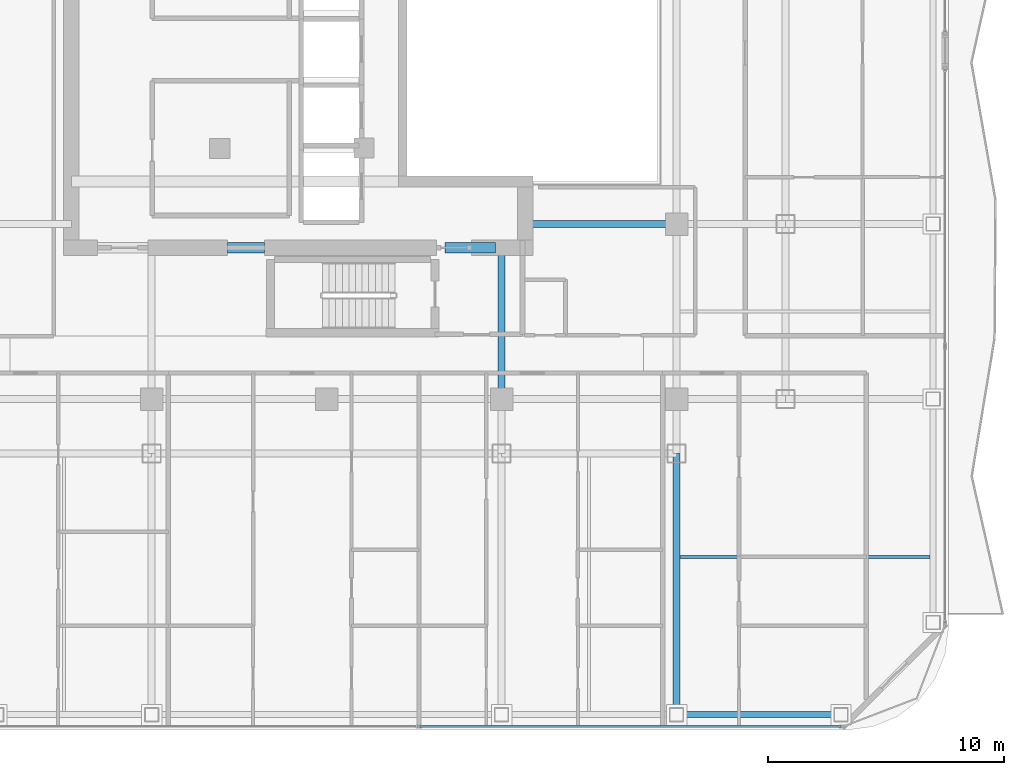
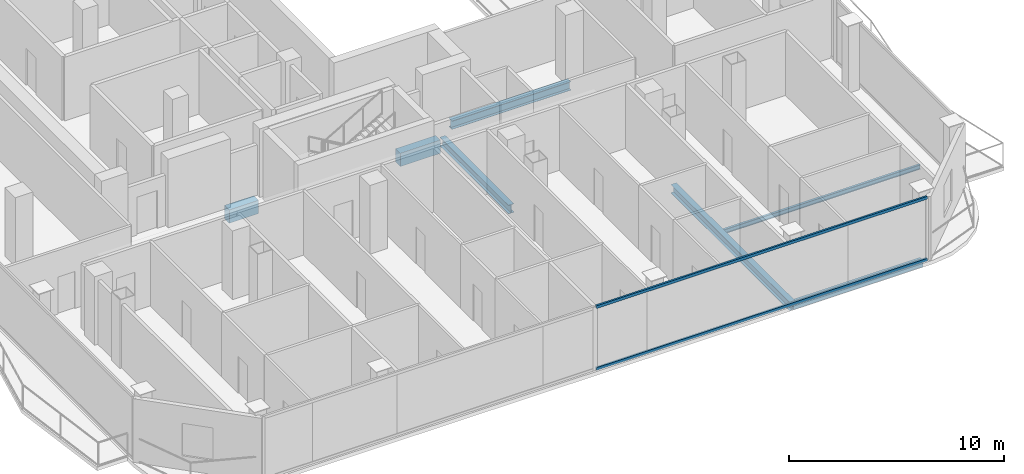
# One storey, part 9 of 26: 7 beams, 2 members, 1 element without a shape of its own.
"""IFC4 building model written with IfcOpenShell, lengths in metres."""

from ifc_helpers import new_model, si_unit, direction, frame, origin, origin_2d, place, context, subcontext, project, spatial, rectangle, hollow_rectangle, i_section, extrude, material, layer, layer_set, material_profile, profile_set, type_object, element, aggregate, save


model = new_model("IFC4")

# Units and contexts
model_context = context("Model", 3, precision=1e-05, world=origin(), true_north=direction((0.0, 1.0)))
body_context = subcontext(model_context, "Body", "Model", "MODEL_VIEW")
ifc_project = project(units=[si_unit("LENGTHUNIT", "METRE"), si_unit("AREAUNIT", "SQUARE_METRE"), si_unit("VOLUMEUNIT", "CUBIC_METRE"), si_unit("PLANEANGLEUNIT", "RADIAN"), si_unit("MASSUNIT", "GRAM", prefix="KILO")], contexts=[model_context])

# Site, building, storey
site_placement = place(None, origin())
site = spatial("IfcSite", under=ifc_project, at=site_placement, CompositionType="ELEMENT")
building_placement = place(site_placement, origin())
building = spatial("IfcBuilding", under=site, at=building_placement, Name="Khorvyn Point Tower", CompositionType="ELEMENT")
storey_placement = place(building_placement, frame((0.0, 0.0, 250.800048828125)))
storey = spatial("IfcBuildingStorey", under=building, at=storey_placement, Name="L61", CompositionType="ELEMENT", Elevation=250.800048828125)

# Curtain wall, members
ifc_material_1 = material(Name="Anodised aluminium 6063-T6 and laminated Low-E glass", Category="aluminium")
ifc_layer = layer(ifc_material_1, 0.18994140625)
ifc_layer_set = layer_set([ifc_layer], Name="Stick-Built Acoustic Curtain Wall CW-SYS-03")
curtain_wall_type = type_object("IfcCurtainWallType", Name="Stick-Built Acoustic Curtain Wall CW-SYS-03", PredefinedType="NOTDEFINED", material=ifc_layer_set)
curtain_wall_placement = place(storey_placement, origin())
curtain_wall = element("IfcCurtainWall", 1, at=curtain_wall_placement, inside=storey, type_object=curtain_wall_type, Name="Curtain Wall", PredefinedType="NOTDEFINED")
ifc_material_2 = material(Name="Anodised aluminium 6063-T6", Category="aluminium")
ifc_material_profile_1 = material_profile(ifc_material_2, hollow_rectangle(XDim=0.10009765625, YDim=0.159912109375, WallThickness=0.00439453125, at=origin_2d()))
ifc_profile_set_1 = profile_set([ifc_material_profile_1], Name="Anodised aluminium 6063-T6 ALU-TRN-100x160")
member_type = type_object("IfcMemberType", Name="Anodised Aluminium 6063-T6 Transom ALU-TRN-100x160", PredefinedType="USERDEFINED", material=ifc_profile_set_1)
member_1_placement = place(storey_placement, frame((21.75, -28.64990234375, 0.050048828125), z_axis=(-1.0, 0.0, 0.0), x_axis=(0.0, -1.0, 0.0)))
member_1 = element("IfcMember", 2, at=member_1_placement, type_object=member_type, Name="Transom", ObjectType="TRANSOM", PredefinedType="USERDEFINED", context=body_context, shape_type="SweptSolid", body=[
    extrude(hollow_rectangle(XDim=0.10009765625, YDim=0.159912109375, WallThickness=0.00439453125, at=origin_2d()), origin(), (0.0, 0.0, 1.0), 17.800048828125),
])
member_2_placement = place(storey_placement, frame((21.75, -28.64990234375, 3.570068359375), z_axis=(-1.0, 0.0, 0.0), x_axis=(0.0, -1.0, 0.0)))
member_2 = element("IfcMember", 3, at=member_2_placement, type_object=member_type, Name="Transom", ObjectType="TRANSOM", PredefinedType="USERDEFINED", context=body_context, shape_type="SweptSolid", body=[
    extrude(hollow_rectangle(XDim=0.10009765625, YDim=0.159912109375, WallThickness=0.00439453125, at=origin_2d()), origin(), (0.0, 0.0, 1.0), 17.800048828125),
])
aggregate(curtain_wall, [member_1, member_2])

# Beams
ifc_material_3 = material(Name="Concrete C40/50", Category="concrete")
ifc_material_profile_2 = material_profile(ifc_material_3, rectangle(XDim=0.449951171875, YDim=0.75, at=origin_2d()))
ifc_profile_set_2 = profile_set([ifc_material_profile_2], Name="Concrete C40/50 RC450x750")
beam_type_1 = type_object("IfcBeamType", Name="Concrete C40/50 Beam RC450x750", PredefinedType="BEAM", material=ifc_profile_set_2)
beam_1_placement = place(storey_placement, frame((-4.199951171875, -8.39990234375, -0.594970703125), z_axis=(1.0, 0.0, 0.0), x_axis=(0.0, 1.0, 0.0)))
element("IfcBeam", 4, at=beam_1_placement, inside=storey, type_object=beam_type_1, Name="L61 Core Shuttle Portal Coupling Beam", PredefinedType="BEAM", context=body_context, shape_type="SweptSolid", body=[
    extrude(rectangle(XDim=0.449951171875, YDim=0.75, at=origin_2d()), origin(), (0.0, 0.0, 1.0), 1.579833984375),
])
beam_2_placement = place(storey_placement, frame((5.0, -8.39990234375, -0.594970703125), z_axis=(1.0, 0.0, 0.0), x_axis=(0.0, 1.0, 0.0)))
element("IfcBeam", 5, at=beam_2_placement, inside=storey, type_object=beam_type_1, Name="L61 Core Southeast Portal Coupling Beam", PredefinedType="BEAM", context=body_context, shape_type="SweptSolid", body=[
    extrude(rectangle(XDim=0.449951171875, YDim=0.75, at=origin_2d()), origin(), (0.0, 0.0, 1.0), 2.14990234375),
])
ifc_material_4 = material(Name="Steel S355", Category="steel")
ifc_material_profile_3 = material_profile(ifc_material_4, i_section(OverallWidth=0.125, OverallDepth=0.25, WebThickness=0.006103515625, FlangeThickness=0.009033203125, at=origin_2d()))
ifc_profile_set_3 = profile_set([ifc_material_profile_3], Name="Steel S355 H250x125x6x9")
beam_type_2 = type_object("IfcBeamType", Name="Steel S355 Joist H250x125x6x9", PredefinedType="JOIST", material=ifc_profile_set_3)
beam_3_placement = place(storey_placement, frame((14.949951171875, -21.47509765625, -0.344970703125), z_axis=(1.0, 0.0, 0.0), x_axis=(0.0, 1.0, 0.0)))
element("IfcBeam", 6, at=beam_3_placement, inside=storey, type_object=beam_type_2, Name="Beam", PredefinedType="JOIST", context=body_context, shape_type="SweptSolid", body=[
    extrude(i_section(OverallWidth=0.125, OverallDepth=0.25, WebThickness=0.006103515625, FlangeThickness=0.009033203125, at=origin_2d()), origin(), (0.0, 0.0, 1.0), 10.574951171875),
])
ifc_material_profile_4 = material_profile(ifc_material_4, i_section(OverallWidth=0.300048828125, OverallDepth=0.488037109375, WebThickness=0.010986328125, FlangeThickness=0.01806640625, at=origin_2d()))
ifc_profile_set_4 = profile_set([ifc_material_profile_4], Name="Steel S355 H488x300x11x18")
beam_type_3 = type_object("IfcBeamType", Name="Steel S355 Spandrel H488x300x11x18", PredefinedType="SPANDREL", material=ifc_profile_set_4)
beam_4_placement = place(storey_placement, frame((8.39990234375, -7.39990234375, -0.464111328125), z_axis=(1.0, 0.0, 0.0), x_axis=(0.0, 1.0, 0.0)))
element("IfcBeam", 7, at=beam_4_placement, inside=storey, type_object=beam_type_3, Name="Beam", PredefinedType="SPANDREL", context=body_context, shape_type="SweptSolid", body=[
    extrude(i_section(OverallWidth=0.300048828125, OverallDepth=0.488037109375, WebThickness=0.010986328125, FlangeThickness=0.01806640625, at=origin_2d()), origin(), (0.0, 0.0, 1.0), 6.400146484375),
])
beam_5_placement = place(storey_placement, frame((14.800048828125, -28.14990234375, -0.464111328125), z_axis=(0.0, 1.0, 0.0), x_axis=(-1.0, 0.0, 0.0)))
element("IfcBeam", 8, at=beam_5_placement, inside=storey, type_object=beam_type_3, Name="Beam", PredefinedType="SPANDREL", context=body_context, shape_type="SweptSolid", body=[
    extrude(i_section(OverallWidth=0.300048828125, OverallDepth=0.488037109375, WebThickness=0.010986328125, FlangeThickness=0.01806640625, at=origin_2d()), origin(), (0.0, 0.0, 1.0), 11.0498046875),
])
beam_6_placement = place(storey_placement, frame((7.39990234375, -14.800048828125, -0.464111328125), z_axis=(0.0, 1.0, 0.0), x_axis=(-1.0, 0.0, 0.0)))
element("IfcBeam", 9, at=beam_6_placement, inside=storey, type_object=beam_type_3, Name="Beam", PredefinedType="SPANDREL", context=body_context, shape_type="SweptSolid", body=[
    extrude(i_section(OverallWidth=0.300048828125, OverallDepth=0.488037109375, WebThickness=0.010986328125, FlangeThickness=0.01806640625, at=origin_2d()), origin(), (0.0, 0.0, 1.0), 6.400146484375),
])
ifc_material_profile_5 = material_profile(ifc_material_4, hollow_rectangle(XDim=0.25, YDim=0.39990234375, WallThickness=0.01611328125, at=origin_2d()))
ifc_profile_set_5 = profile_set([ifc_material_profile_5], Name="Steel S355 RHS400x250x16")
beam_type_4 = type_object("IfcBeamType", Name="Steel S355 Spandrel RHS400x250x16", PredefinedType="SPANDREL", material=ifc_profile_set_5)
beam_7_placement = place(storey_placement, frame((14.800048828125, -28.14990234375, -0.420166015625), z_axis=(1.0, 0.0, 0.0), x_axis=(0.0, 1.0, 0.0)))
element("IfcBeam", 10, at=beam_7_placement, inside=storey, type_object=beam_type_4, Name="Beam", PredefinedType="SPANDREL", context=body_context, shape_type="SweptSolid", body=[
    extrude(hollow_rectangle(XDim=0.25, YDim=0.39990234375, WallThickness=0.01611328125, at=origin_2d()), origin(), (0.0, 0.0, 1.0), 6.949951171875),
])

save(model, "model.ifc")
